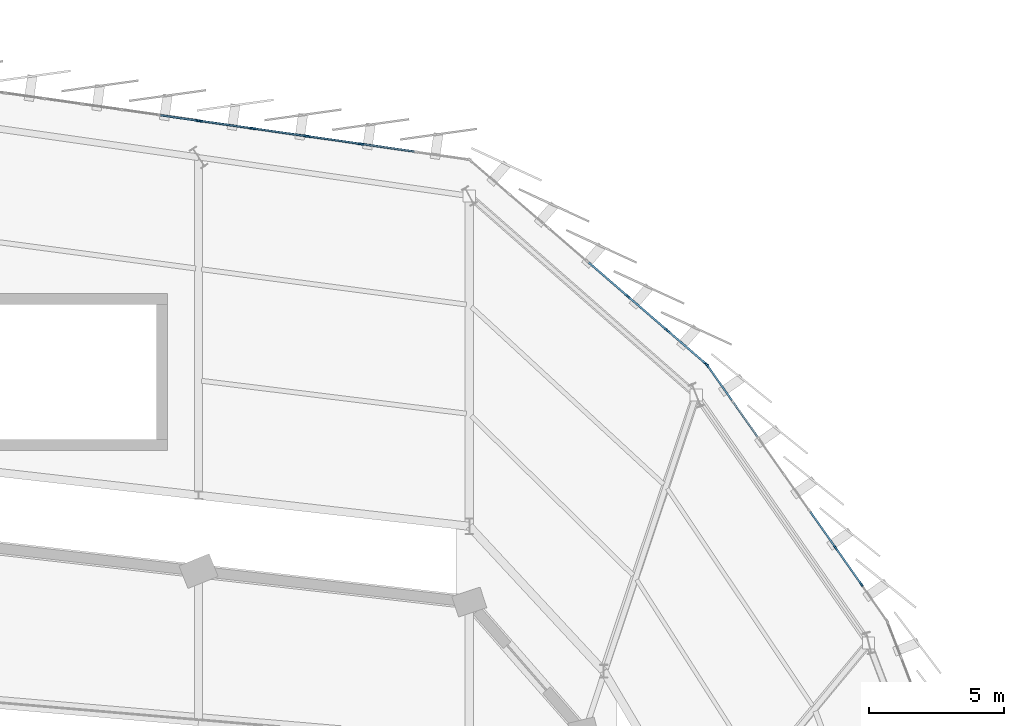
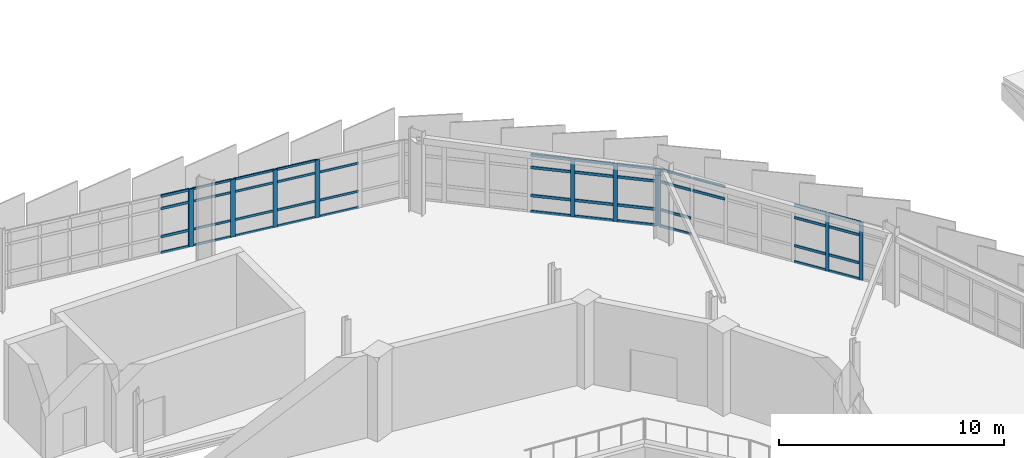
# One storey, part 52 of 87: 56 members, 4 elements without a shape of their own.
"""IFC4 building model written with IfcOpenShell, lengths in metres."""

from ifc_helpers import new_model, si_unit, direction, frame, origin, origin_2d, place, context, subcontext, project, spatial, rectangle, extrude, material, layer, layer_set, material_profile, profile_set, type_object, element, aggregate, save


model = new_model("IFC4")

# Units and contexts
model_context = context("Model", 3, precision=1e-05, world=origin(), true_north=direction((0.0, 1.0)))
body_context = subcontext(model_context, "Body", "Model", "MODEL_VIEW")
ifc_project = project(units=[si_unit("LENGTHUNIT", "METRE"), si_unit("AREAUNIT", "SQUARE_METRE"), si_unit("VOLUMEUNIT", "CUBIC_METRE"), si_unit("PLANEANGLEUNIT", "RADIAN"), si_unit("MASSUNIT", "GRAM", prefix="KILO")], contexts=[model_context])

# Site, building, storey
site_placement = place(None, origin())
site = spatial("IfcSite", under=ifc_project, at=site_placement, CompositionType="ELEMENT")
building_placement = place(site_placement, origin())
building = spatial("IfcBuilding", under=site, at=building_placement, Name="Sohan Crest Arena", CompositionType="ELEMENT")
storey_placement = place(building_placement, frame((0.0, 0.0, 18.0)))
storey = spatial("IfcBuildingStorey", under=building, at=storey_placement, Name="L04", CompositionType="ELEMENT", Elevation=18.0)

# Curtain wall, member
ifc_material = material(Name="Thermally broken anodised aluminium", Category="aluminium")
ifc_layer_1 = layer(ifc_material, 0.18994140625, Name="Thermally broken anodised aluminium")
ifc_layer_set_1 = layer_set([ifc_layer_1], Name="Thermally broken anodised aluminium")
curtain_wall_type_1 = type_object("IfcCurtainWallType", Name="ARC-CW05", PredefinedType="NOTDEFINED", material=ifc_layer_set_1)
curtain_wall_1_placement = place(storey_placement, origin())
curtain_wall_1 = element("IfcCurtainWall", 1, at=curtain_wall_1_placement, inside=storey, type_object=curtain_wall_type_1, Name="Unitised curtain wall CW-140", PredefinedType="NOTDEFINED")
ifc_material_profile_1 = material_profile(ifc_material, rectangle(XDim=0.06005859375, YDim=0.159912109375, at=origin_2d()), Name="ALU-MULL 60x160")
ifc_profile_set_1 = profile_set([ifc_material_profile_1], Name="Thermally broken anodised aluminium")
member_type_1 = type_object("IfcMemberType", Name="ARC-CW-ML01", PredefinedType="MULLION", material=ifc_profile_set_1)
member_1_placement = place(storey_placement, frame((157.97021484375, 118.783203125, 0.0), z_axis=(0.0, 0.0, 1.0), x_axis=(-0.141365918403, -0.989957411768, 0.0)))
member_1 = element("IfcMember", 2, at=member_1_placement, type_object=member_type_1, Name="CW-140 mullion 1", PredefinedType="MULLION", context=body_context, shape_type="SweptSolid", body=[
    extrude(rectangle(XDim=0.06005859375, YDim=0.159912109375, at=origin_2d()), origin(), (0.0, 0.0, 1.0), 3.1201171875),
])

# Curtain wall, members
ifc_layer_2 = layer(ifc_material, 0.199951171875, Name="Thermally broken anodised aluminium")
ifc_layer_set_2 = layer_set([ifc_layer_2], Name="Thermally broken anodised aluminium")
curtain_wall_type_2 = type_object("IfcCurtainWallType", Name="ARC-CW02", PredefinedType="NOTDEFINED", material=ifc_layer_set_2)
curtain_wall_2_placement = place(storey_placement, origin())
curtain_wall_2 = element("IfcCurtainWall", 3, at=curtain_wall_2_placement, inside=storey, type_object=curtain_wall_type_2, Name="Unitised curtain wall CW-137", PredefinedType="NOTDEFINED")
ifc_material_profile_2 = material_profile(ifc_material, rectangle(XDim=0.06494140625, YDim=0.179931640625, at=origin_2d()), Name="ALU-MULL 65x180")
ifc_profile_set_2 = profile_set([ifc_material_profile_2], Name="Thermally broken anodised aluminium")
member_type_2 = type_object("IfcMemberType", Name="ARC-CW-ML02", PredefinedType="MULLION", material=ifc_profile_set_2)
member_2_placement = place(storey_placement, frame((182.478759765625, 101.658203125, 0.0), z_axis=(0.0, 0.0, 1.0), x_axis=(-0.817854574128, -0.575424969546, 0.0)))
member_2 = element("IfcMember", 4, at=member_2_placement, type_object=member_type_2, Name="CW-137 mullion 2", PredefinedType="MULLION", context=body_context, shape_type="SweptSolid", body=[
    extrude(rectangle(XDim=0.06494140625, YDim=0.179931640625, at=origin_2d()), origin(), (0.0, 0.0, 1.0), 3.1201171875),
])
member_3_placement = place(storey_placement, frame((181.526611328125, 103.011474609375, 0.0), z_axis=(0.0, 0.0, 1.0), x_axis=(-0.817854574128, -0.575424969546, 0.0)))
member_3 = element("IfcMember", 5, at=member_3_placement, type_object=member_type_2, Name="CW-137 mullion 3", PredefinedType="MULLION", context=body_context, shape_type="SweptSolid", body=[
    extrude(rectangle(XDim=0.06494140625, YDim=0.179931640625, at=origin_2d()), origin(), (0.0, 0.0, 1.0), 3.1201171875),
])
member_4_placement = place(storey_placement, frame((176.78466796875, 109.75146484375, 0.0), z_axis=(0.0, 0.0, 1.0), x_axis=(-0.817854574128, -0.575424969546, 0.0)))
member_4 = element("IfcMember", 6, at=member_4_placement, type_object=member_type_2, Name="CW-137 mullion 8", PredefinedType="MULLION", context=body_context, shape_type="SweptSolid", body=[
    extrude(rectangle(XDim=0.06494140625, YDim=0.179931640625, at=origin_2d()), origin(), (0.0, 0.0, 1.0), 3.1201171875),
])

ifc_layer_3 = layer(ifc_material, 0.219970703125, Name="Thermally broken anodised aluminium")
ifc_layer_set_3 = layer_set([ifc_layer_3], Name="Thermally broken anodised aluminium")
curtain_wall_type_3 = type_object("IfcCurtainWallType", Name="ARC-CW03", PredefinedType="NOTDEFINED", material=ifc_layer_set_3)
curtain_wall_3_placement = place(storey_placement, origin())
curtain_wall_3 = element("IfcCurtainWall", 7, at=curtain_wall_3_placement, inside=storey, type_object=curtain_wall_type_3, Name="Unitised curtain wall CW-138", PredefinedType="NOTDEFINED")
ifc_material_profile_3 = material_profile(ifc_material, rectangle(XDim=0.070068359375, YDim=0.199951171875, at=origin_2d()), Name="ALU-MULL 70x200")
ifc_profile_set_3 = profile_set([ifc_material_profile_3], Name="Thermally broken anodised aluminium")
member_type_3 = type_object("IfcMemberType", Name="ARC-CW-ML03", PredefinedType="MULLION", material=ifc_profile_set_3)
member_5_placement = place(storey_placement, frame((176.739501953125, 109.80078125, 0.0), z_axis=(0.0, 0.0, 1.0), x_axis=(-0.653687296748, -0.756764770633, 0.0)))
member_5 = element("IfcMember", 8, at=member_5_placement, type_object=member_type_3, Name="CW-138 mullion 1", PredefinedType="MULLION", context=body_context, shape_type="SweptSolid", body=[
    extrude(rectangle(XDim=0.070068359375, YDim=0.199951171875, at=origin_2d()), origin(), (0.0, 0.0, 1.0), 3.1201171875),
])
member_6_placement = place(storey_placement, frame((175.304931640625, 111.0400390625, 0.0), z_axis=(0.0, 0.0, 1.0), x_axis=(-0.653687296748, -0.756764770633, 0.0)))
member_6 = element("IfcMember", 9, at=member_6_placement, type_object=member_type_3, Name="CW-138 mullion 2", PredefinedType="MULLION", context=body_context, shape_type="SweptSolid", body=[
    extrude(rectangle(XDim=0.070068359375, YDim=0.199951171875, at=origin_2d()), origin(), (0.0, 0.0, 1.0), 3.1201171875),
])
member_7_placement = place(storey_placement, frame((173.843994140625, 112.302001953125, 0.0), z_axis=(0.0, 0.0, 1.0), x_axis=(-0.653687296748, -0.756764770633, 0.0)))
member_7 = element("IfcMember", 10, at=member_7_placement, type_object=member_type_3, Name="CW-138 mullion 3", PredefinedType="MULLION", context=body_context, shape_type="SweptSolid", body=[
    extrude(rectangle(XDim=0.070068359375, YDim=0.199951171875, at=origin_2d()), origin(), (0.0, 0.0, 1.0), 3.1201171875),
])

ifc_layer_4 = layer(ifc_material, 0.239990234375, Name="Thermally broken anodised aluminium")
ifc_layer_set_4 = layer_set([ifc_layer_4], Name="Thermally broken anodised aluminium")
curtain_wall_type_4 = type_object("IfcCurtainWallType", Name="ARC-CW04", PredefinedType="NOTDEFINED", material=ifc_layer_set_4)
curtain_wall_4_placement = place(storey_placement, origin())
curtain_wall_4 = element("IfcCurtainWall", 11, at=curtain_wall_4_placement, inside=storey, type_object=curtain_wall_type_4, Name="Unitised curtain wall CW-139", PredefinedType="NOTDEFINED")
ifc_material_profile_4 = material_profile(ifc_material, rectangle(XDim=0.074951171875, YDim=0.219970703125, at=origin_2d()), Name="ALU-MULL 75x220")
ifc_profile_set_4 = profile_set([ifc_material_profile_4], Name="Thermally broken anodised aluminium")
member_type_4 = type_object("IfcMemberType", Name="ARC-CW-ML04", PredefinedType="MULLION", material=ifc_profile_set_4)
member_8_placement = place(storey_placement, frame((164.0, 117.921630859375, 0.0), z_axis=(0.0, 0.0, 1.0), x_axis=(-0.141462933734, -0.989943553128, 0.0)))
member_8 = element("IfcMember", 12, at=member_8_placement, type_object=member_type_4, Name="CW-139 mullion 3", PredefinedType="MULLION", context=body_context, shape_type="SweptSolid", body=[
    extrude(rectangle(XDim=0.074951171875, YDim=0.219970703125, at=origin_2d()), origin(), (0.0, 0.0, 1.0), 3.1201171875),
])
member_9_placement = place(storey_placement, frame((162.0, 118.20751953125, 0.0), z_axis=(0.0, 0.0, 1.0), x_axis=(-0.141462933734, -0.989943553128, 0.0)))
member_9 = element("IfcMember", 13, at=member_9_placement, type_object=member_type_4, Name="CW-139 mullion 4", PredefinedType="MULLION", context=body_context, shape_type="SweptSolid", body=[
    extrude(rectangle(XDim=0.074951171875, YDim=0.219970703125, at=origin_2d()), origin(), (0.0, 0.0, 1.0), 3.1201171875),
])
member_10_placement = place(storey_placement, frame((160.0, 118.4931640625, 0.0), z_axis=(0.0, 0.0, 1.0), x_axis=(-0.141462933734, -0.989943553128, 0.0)))
member_10 = element("IfcMember", 14, at=member_10_placement, type_object=member_type_4, Name="CW-139 mullion 5", PredefinedType="MULLION", context=body_context, shape_type="SweptSolid", body=[
    extrude(rectangle(XDim=0.074951171875, YDim=0.219970703125, at=origin_2d()), origin(), (0.0, 0.0, 1.0), 3.1201171875),
])
member_11_placement = place(storey_placement, frame((158.037109375, 118.773681640625, 0.0), z_axis=(0.0, 0.0, 1.0), x_axis=(-0.141462933734, -0.989943553128, 0.0)))
member_11 = element("IfcMember", 15, at=member_11_placement, type_object=member_type_4, Name="CW-139 mullion 6", PredefinedType="MULLION", context=body_context, shape_type="SweptSolid", body=[
    extrude(rectangle(XDim=0.074951171875, YDim=0.219970703125, at=origin_2d()), origin(), (0.0, 0.0, 1.0), 3.1201171875),
])
ifc_material_profile_5 = material_profile(ifc_material, rectangle(XDim=0.06005859375, YDim=0.1201171875, at=origin_2d()), Name="ALU-TRAN 60x120")
ifc_profile_set_5 = profile_set([ifc_material_profile_5], Name="Thermally broken anodised aluminium")
member_type_5 = type_object("IfcMemberType", Name="ARC-CW-TR01", PredefinedType="USERDEFINED", material=ifc_profile_set_5)
member_12_placement = place(storey_placement, frame((165.962890625, 117.64111328125, 0.030029296875), z_axis=(-0.989946983498, 0.141438926268, 0.0), x_axis=(-0.141438926268, -0.989946983498, 0.0)))
member_12 = element("IfcMember", 16, at=member_12_placement, type_object=member_type_5, Name="CW-139 transom 2.1", ObjectType="TRANSOM", PredefinedType="USERDEFINED", context=body_context, shape_type="SweptSolid", body=[
    extrude(rectangle(XDim=0.06005859375, YDim=0.1201171875, at=origin_2d()), origin(), (0.0, 0.0, 1.0), 1.9453125),
])
member_13_placement = place(storey_placement, frame((165.962890625, 117.64111328125, 0.89990234375), z_axis=(-0.989946983498, 0.141438926268, 0.0), x_axis=(-0.141438926268, -0.989946983498, 0.0)))
member_13 = element("IfcMember", 17, at=member_13_placement, type_object=member_type_5, Name="CW-139 transom 2.2", ObjectType="TRANSOM", PredefinedType="USERDEFINED", context=body_context, shape_type="SweptSolid", body=[
    extrude(rectangle(XDim=0.06005859375, YDim=0.1201171875, at=origin_2d()), origin(), (0.0, 0.0, 1.0), 1.9453125),
])
member_14_placement = place(storey_placement, frame((165.962890625, 117.64111328125, 2.419921875), z_axis=(-0.989946983498, 0.141438926268, 0.0), x_axis=(-0.141438926268, -0.989946983498, 0.0)))
member_14 = element("IfcMember", 18, at=member_14_placement, type_object=member_type_5, Name="CW-139 transom 2.3", ObjectType="TRANSOM", PredefinedType="USERDEFINED", context=body_context, shape_type="SweptSolid", body=[
    extrude(rectangle(XDim=0.06005859375, YDim=0.1201171875, at=origin_2d()), origin(), (0.0, 0.0, 1.0), 1.9453125),
])
member_15_placement = place(storey_placement, frame((163.962890625, 117.927001953125, 0.030029296875), z_axis=(-0.989946983498, 0.141438926268, 0.0), x_axis=(-0.141438926268, -0.989946983498, 0.0)))
member_15 = element("IfcMember", 19, at=member_15_placement, type_object=member_type_5, Name="CW-139 transom 3.1", ObjectType="TRANSOM", PredefinedType="USERDEFINED", context=body_context, shape_type="SweptSolid", body=[
    extrude(rectangle(XDim=0.06005859375, YDim=0.1201171875, at=origin_2d()), origin(), (0.0, 0.0, 1.0), 1.9453125),
])
member_16_placement = place(storey_placement, frame((163.962890625, 117.927001953125, 0.89990234375), z_axis=(-0.989946983498, 0.141438926268, 0.0), x_axis=(-0.141438926268, -0.989946983498, 0.0)))
member_16 = element("IfcMember", 20, at=member_16_placement, type_object=member_type_5, Name="CW-139 transom 3.2", ObjectType="TRANSOM", PredefinedType="USERDEFINED", context=body_context, shape_type="SweptSolid", body=[
    extrude(rectangle(XDim=0.06005859375, YDim=0.1201171875, at=origin_2d()), origin(), (0.0, 0.0, 1.0), 1.9453125),
])
member_17_placement = place(storey_placement, frame((163.962890625, 117.927001953125, 2.419921875), z_axis=(-0.989946983498, 0.141438926268, 0.0), x_axis=(-0.141438926268, -0.989946983498, 0.0)))
member_17 = element("IfcMember", 21, at=member_17_placement, type_object=member_type_5, Name="CW-139 transom 3.3", ObjectType="TRANSOM", PredefinedType="USERDEFINED", context=body_context, shape_type="SweptSolid", body=[
    extrude(rectangle(XDim=0.06005859375, YDim=0.1201171875, at=origin_2d()), origin(), (0.0, 0.0, 1.0), 1.9453125),
])
member_18_placement = place(storey_placement, frame((163.962890625, 117.927001953125, 3.090087890625), z_axis=(-0.989946983498, 0.141438926268, 0.0), x_axis=(-0.141438926268, -0.989946983498, 0.0)))
member_18 = element("IfcMember", 22, at=member_18_placement, type_object=member_type_5, Name="CW-139 transom 3.4", ObjectType="TRANSOM", PredefinedType="USERDEFINED", context=body_context, shape_type="SweptSolid", body=[
    extrude(rectangle(XDim=0.06005859375, YDim=0.1201171875, at=origin_2d()), origin(), (0.0, 0.0, 1.0), 1.9453125),
])
member_19_placement = place(storey_placement, frame((161.962890625, 118.212646484375, 0.030029296875), z_axis=(-0.989946983498, 0.141438926268, 0.0), x_axis=(-0.141438926268, -0.989946983498, 0.0)))
member_19 = element("IfcMember", 23, at=member_19_placement, type_object=member_type_5, Name="CW-139 transom 4.1", ObjectType="TRANSOM", PredefinedType="USERDEFINED", context=body_context, shape_type="SweptSolid", body=[
    extrude(rectangle(XDim=0.06005859375, YDim=0.1201171875, at=origin_2d()), origin(), (0.0, 0.0, 1.0), 1.9453125),
])
member_20_placement = place(storey_placement, frame((161.962890625, 118.212646484375, 0.89990234375), z_axis=(-0.989946983498, 0.141438926268, 0.0), x_axis=(-0.141438926268, -0.989946983498, 0.0)))
member_20 = element("IfcMember", 24, at=member_20_placement, type_object=member_type_5, Name="CW-139 transom 4.2", ObjectType="TRANSOM", PredefinedType="USERDEFINED", context=body_context, shape_type="SweptSolid", body=[
    extrude(rectangle(XDim=0.06005859375, YDim=0.1201171875, at=origin_2d()), origin(), (0.0, 0.0, 1.0), 1.9453125),
])
member_21_placement = place(storey_placement, frame((161.962890625, 118.212646484375, 2.419921875), z_axis=(-0.989946983498, 0.141438926268, 0.0), x_axis=(-0.141438926268, -0.989946983498, 0.0)))
member_21 = element("IfcMember", 25, at=member_21_placement, type_object=member_type_5, Name="CW-139 transom 4.3", ObjectType="TRANSOM", PredefinedType="USERDEFINED", context=body_context, shape_type="SweptSolid", body=[
    extrude(rectangle(XDim=0.06005859375, YDim=0.1201171875, at=origin_2d()), origin(), (0.0, 0.0, 1.0), 1.9453125),
])
member_22_placement = place(storey_placement, frame((161.962890625, 118.212646484375, 3.090087890625), z_axis=(-0.989946983498, 0.141438926268, 0.0), x_axis=(-0.141438926268, -0.989946983498, 0.0)))
member_22 = element("IfcMember", 26, at=member_22_placement, type_object=member_type_5, Name="CW-139 transom 4.4", ObjectType="TRANSOM", PredefinedType="USERDEFINED", context=body_context, shape_type="SweptSolid", body=[
    extrude(rectangle(XDim=0.06005859375, YDim=0.1201171875, at=origin_2d()), origin(), (0.0, 0.0, 1.0), 1.9453125),
])
member_23_placement = place(storey_placement, frame((159.962890625, 118.49853515625, 0.030029296875), z_axis=(-0.989952052837, 0.141403440846, 0.0), x_axis=(-0.141403440846, -0.989952052837, 0.0)))
member_23 = element("IfcMember", 27, at=member_23_placement, type_object=member_type_5, Name="CW-139 transom 5.1", ObjectType="TRANSOM", PredefinedType="USERDEFINED", context=body_context, shape_type="SweptSolid", body=[
    extrude(rectangle(XDim=0.06005859375, YDim=0.1201171875, at=origin_2d()), origin(), (0.0, 0.0, 1.0), 1.907958984375),
])
member_24_placement = place(storey_placement, frame((159.962890625, 118.49853515625, 0.89990234375), z_axis=(-0.989952052837, 0.141403440846, 0.0), x_axis=(-0.141403440846, -0.989952052837, 0.0)))
member_24 = element("IfcMember", 28, at=member_24_placement, type_object=member_type_5, Name="CW-139 transom 5.2", ObjectType="TRANSOM", PredefinedType="USERDEFINED", context=body_context, shape_type="SweptSolid", body=[
    extrude(rectangle(XDim=0.06005859375, YDim=0.1201171875, at=origin_2d()), origin(), (0.0, 0.0, 1.0), 1.907958984375),
])
member_25_placement = place(storey_placement, frame((159.962890625, 118.49853515625, 2.419921875), z_axis=(-0.989952052837, 0.141403440846, 0.0), x_axis=(-0.141403440846, -0.989952052837, 0.0)))
member_25 = element("IfcMember", 29, at=member_25_placement, type_object=member_type_5, Name="CW-139 transom 5.3", ObjectType="TRANSOM", PredefinedType="USERDEFINED", context=body_context, shape_type="SweptSolid", body=[
    extrude(rectangle(XDim=0.06005859375, YDim=0.1201171875, at=origin_2d()), origin(), (0.0, 0.0, 1.0), 1.907958984375),
])
member_26_placement = place(storey_placement, frame((159.962890625, 118.49853515625, 3.090087890625), z_axis=(-0.989952052837, 0.141403440846, 0.0), x_axis=(-0.141403440846, -0.989952052837, 0.0)))
member_26 = element("IfcMember", 30, at=member_26_placement, type_object=member_type_5, Name="CW-139 transom 5.4", ObjectType="TRANSOM", PredefinedType="USERDEFINED", context=body_context, shape_type="SweptSolid", body=[
    extrude(rectangle(XDim=0.06005859375, YDim=0.1201171875, at=origin_2d()), origin(), (0.0, 0.0, 1.0), 1.907958984375),
])
aggregate(curtain_wall_4, [member_8, member_9, member_10, member_11, member_12, member_13, member_14, member_15, member_16, member_17, member_18, member_19, member_20, member_21, member_22, member_23, member_24, member_25, member_26])

# Member
ifc_material_profile_6 = material_profile(ifc_material, rectangle(XDim=0.06494140625, YDim=0.139892578125, at=origin_2d()), Name="ALU-TRAN 65x140")
ifc_profile_set_6 = profile_set([ifc_material_profile_6], Name="Thermally broken anodised aluminium")
member_type_6 = type_object("IfcMemberType", Name="ARC-CW-TR02", PredefinedType="USERDEFINED", material=ifc_profile_set_6)
member_27_placement = place(storey_placement, frame((182.460205078125, 101.684814453125, 0.032470703125), z_axis=(-0.575398306303, 0.817873333166, 0.0), x_axis=(-0.817873333166, -0.575398306303, 0.0)))
member_27 = element("IfcMember", 31, at=member_27_placement, type_object=member_type_6, Name="CW-137 transom 2.1", ObjectType="TRANSOM", PredefinedType="USERDEFINED", context=body_context, shape_type="SweptSolid", body=[
    extrude(rectangle(XDim=0.06494140625, YDim=0.139892578125, at=origin_2d()), origin(), (0.0, 0.0, 1.0), 1.58984375),
])

member_28_placement = place(storey_placement, frame((182.460205078125, 101.684814453125, 0.89990234375), z_axis=(-0.575398306303, 0.817873333166, 0.0), x_axis=(-0.817873333166, -0.575398306303, 0.0)))
member_28 = element("IfcMember", 32, at=member_28_placement, type_object=member_type_6, Name="CW-137 transom 2.2", ObjectType="TRANSOM", PredefinedType="USERDEFINED", context=body_context, shape_type="SweptSolid", body=[
    extrude(rectangle(XDim=0.06494140625, YDim=0.139892578125, at=origin_2d()), origin(), (0.0, 0.0, 1.0), 1.58984375),
])

member_29_placement = place(storey_placement, frame((182.460205078125, 101.684814453125, 2.419921875), z_axis=(-0.575398306303, 0.817873333166, 0.0), x_axis=(-0.817873333166, -0.575398306303, 0.0)))
member_29 = element("IfcMember", 33, at=member_29_placement, type_object=member_type_6, Name="CW-137 transom 2.3", ObjectType="TRANSOM", PredefinedType="USERDEFINED", context=body_context, shape_type="SweptSolid", body=[
    extrude(rectangle(XDim=0.06494140625, YDim=0.139892578125, at=origin_2d()), origin(), (0.0, 0.0, 1.0), 1.58984375),
])

member_30_placement = place(storey_placement, frame((182.460205078125, 101.684814453125, 3.08740234375), z_axis=(-0.575398306303, 0.817873333166, 0.0), x_axis=(-0.817873333166, -0.575398306303, 0.0)))
member_30 = element("IfcMember", 34, at=member_30_placement, type_object=member_type_6, Name="CW-137 transom 2.4", ObjectType="TRANSOM", PredefinedType="USERDEFINED", context=body_context, shape_type="SweptSolid", body=[
    extrude(rectangle(XDim=0.06494140625, YDim=0.139892578125, at=origin_2d()), origin(), (0.0, 0.0, 1.0), 1.58984375),
])

member_31_placement = place(storey_placement, frame((181.508056640625, 103.0380859375, 0.032470703125), z_axis=(-0.575398306303, 0.817873333166, 0.0), x_axis=(-0.817873333166, -0.575398306303, 0.0)))
member_31 = element("IfcMember", 35, at=member_31_placement, type_object=member_type_6, Name="CW-137 transom 3.1", ObjectType="TRANSOM", PredefinedType="USERDEFINED", context=body_context, shape_type="SweptSolid", body=[
    extrude(rectangle(XDim=0.06494140625, YDim=0.139892578125, at=origin_2d()), origin(), (0.0, 0.0, 1.0), 1.58984375),
])

member_32_placement = place(storey_placement, frame((181.508056640625, 103.0380859375, 0.89990234375), z_axis=(-0.575398306303, 0.817873333166, 0.0), x_axis=(-0.817873333166, -0.575398306303, 0.0)))
member_32 = element("IfcMember", 36, at=member_32_placement, type_object=member_type_6, Name="CW-137 transom 3.2", ObjectType="TRANSOM", PredefinedType="USERDEFINED", context=body_context, shape_type="SweptSolid", body=[
    extrude(rectangle(XDim=0.06494140625, YDim=0.139892578125, at=origin_2d()), origin(), (0.0, 0.0, 1.0), 1.58984375),
])

member_33_placement = place(storey_placement, frame((181.508056640625, 103.0380859375, 2.419921875), z_axis=(-0.575398306303, 0.817873333166, 0.0), x_axis=(-0.817873333166, -0.575398306303, 0.0)))
member_33 = element("IfcMember", 37, at=member_33_placement, type_object=member_type_6, Name="CW-137 transom 3.3", ObjectType="TRANSOM", PredefinedType="USERDEFINED", context=body_context, shape_type="SweptSolid", body=[
    extrude(rectangle(XDim=0.06494140625, YDim=0.139892578125, at=origin_2d()), origin(), (0.0, 0.0, 1.0), 1.58984375),
])

member_34_placement = place(storey_placement, frame((181.508056640625, 103.0380859375, 3.08740234375), z_axis=(-0.575398306303, 0.817873333166, 0.0), x_axis=(-0.817873333166, -0.575398306303, 0.0)))
member_34 = element("IfcMember", 38, at=member_34_placement, type_object=member_type_6, Name="CW-137 transom 3.4", ObjectType="TRANSOM", PredefinedType="USERDEFINED", context=body_context, shape_type="SweptSolid", body=[
    extrude(rectangle(XDim=0.06494140625, YDim=0.139892578125, at=origin_2d()), origin(), (0.0, 0.0, 1.0), 1.58984375),
])

member_35_placement = place(storey_placement, frame((178.651611328125, 107.097900390625, 2.419921875), z_axis=(-0.575398306303, 0.817873333166, 0.0), x_axis=(-0.817873333166, -0.575398306303, 0.0)))
member_35 = element("IfcMember", 39, at=member_35_placement, type_object=member_type_6, Name="CW-137 transom 6.3", ObjectType="TRANSOM", PredefinedType="USERDEFINED", context=body_context, shape_type="SweptSolid", body=[
    extrude(rectangle(XDim=0.06494140625, YDim=0.139892578125, at=origin_2d()), origin(), (0.0, 0.0, 1.0), 1.58984375),
])

member_36_placement = place(storey_placement, frame((178.651611328125, 107.097900390625, 3.08740234375), z_axis=(-0.575398306303, 0.817873333166, 0.0), x_axis=(-0.817873333166, -0.575398306303, 0.0)))
member_36 = element("IfcMember", 40, at=member_36_placement, type_object=member_type_6, Name="CW-137 transom 6.4", ObjectType="TRANSOM", PredefinedType="USERDEFINED", context=body_context, shape_type="SweptSolid", body=[
    extrude(rectangle(XDim=0.06494140625, YDim=0.139892578125, at=origin_2d()), origin(), (0.0, 0.0, 1.0), 1.58984375),
])

member_37_placement = place(storey_placement, frame((177.699462890625, 108.451416015625, 0.032470703125), z_axis=(-0.575439029992, 0.817844681319, 0.0), x_axis=(-0.817844681319, -0.575439029992, 0.0)))
member_37 = element("IfcMember", 41, at=member_37_placement, type_object=member_type_6, Name="CW-137 transom 7.1", ObjectType="TRANSOM", PredefinedType="USERDEFINED", context=body_context, shape_type="SweptSolid", body=[
    extrude(rectangle(XDim=0.06494140625, YDim=0.139892578125, at=origin_2d()), origin(), (0.0, 0.0, 1.0), 1.55712890625),
])

member_38_placement = place(storey_placement, frame((177.699462890625, 108.451416015625, 0.89990234375), z_axis=(-0.575439029992, 0.817844681319, 0.0), x_axis=(-0.817844681319, -0.575439029992, 0.0)))
member_38 = element("IfcMember", 42, at=member_38_placement, type_object=member_type_6, Name="CW-137 transom 7.2", ObjectType="TRANSOM", PredefinedType="USERDEFINED", context=body_context, shape_type="SweptSolid", body=[
    extrude(rectangle(XDim=0.06494140625, YDim=0.139892578125, at=origin_2d()), origin(), (0.0, 0.0, 1.0), 1.55712890625),
])

member_39_placement = place(storey_placement, frame((177.699462890625, 108.451416015625, 2.419921875), z_axis=(-0.575439029992, 0.817844681319, 0.0), x_axis=(-0.817844681319, -0.575439029992, 0.0)))
member_39 = element("IfcMember", 43, at=member_39_placement, type_object=member_type_6, Name="CW-137 transom 7.3", ObjectType="TRANSOM", PredefinedType="USERDEFINED", context=body_context, shape_type="SweptSolid", body=[
    extrude(rectangle(XDim=0.06494140625, YDim=0.139892578125, at=origin_2d()), origin(), (0.0, 0.0, 1.0), 1.55712890625),
])

member_40_placement = place(storey_placement, frame((177.699462890625, 108.451416015625, 3.08740234375), z_axis=(-0.575439029992, 0.817844681319, 0.0), x_axis=(-0.817844681319, -0.575439029992, 0.0)))
member_40 = element("IfcMember", 44, at=member_40_placement, type_object=member_type_6, Name="CW-137 transom 7.4", ObjectType="TRANSOM", PredefinedType="USERDEFINED", context=body_context, shape_type="SweptSolid", body=[
    extrude(rectangle(XDim=0.06494140625, YDim=0.139892578125, at=origin_2d()), origin(), (0.0, 0.0, 1.0), 1.55712890625),
])

aggregate(curtain_wall_2, [member_2, member_3, member_4, member_27, member_28, member_29, member_30, member_31, member_32, member_33, member_34, member_35, member_36, member_37, member_38, member_39, member_40])

member_41_placement = place(storey_placement, frame((157.940673828125, 118.78759765625, 0.032470703125), z_axis=(-0.989971132604, 0.141269800771, 0.0), x_axis=(-0.141269800771, -0.989971132604, 0.0)))
member_41 = element("IfcMember", 45, at=member_41_placement, type_object=member_type_6, Name="CW-140 transom 1.1", ObjectType="TRANSOM", PredefinedType="USERDEFINED", context=body_context, shape_type="SweptSolid", body=[
    extrude(rectangle(XDim=0.06494140625, YDim=0.139892578125, at=origin_2d()), origin(), (0.0, 0.0, 1.0), 1.353271484375),
])

member_42_placement = place(storey_placement, frame((157.940673828125, 118.78759765625, 0.89990234375), z_axis=(-0.989971132604, 0.141269800771, 0.0), x_axis=(-0.141269800771, -0.989971132604, 0.0)))
member_42 = element("IfcMember", 46, at=member_42_placement, type_object=member_type_6, Name="CW-140 transom 1.2", ObjectType="TRANSOM", PredefinedType="USERDEFINED", context=body_context, shape_type="SweptSolid", body=[
    extrude(rectangle(XDim=0.06494140625, YDim=0.139892578125, at=origin_2d()), origin(), (0.0, 0.0, 1.0), 1.353271484375),
])

member_43_placement = place(storey_placement, frame((157.940673828125, 118.78759765625, 2.419921875), z_axis=(-0.989971132604, 0.141269800771, 0.0), x_axis=(-0.141269800771, -0.989971132604, 0.0)))
member_43 = element("IfcMember", 47, at=member_43_placement, type_object=member_type_6, Name="CW-140 transom 1.3", ObjectType="TRANSOM", PredefinedType="USERDEFINED", context=body_context, shape_type="SweptSolid", body=[
    extrude(rectangle(XDim=0.06494140625, YDim=0.139892578125, at=origin_2d()), origin(), (0.0, 0.0, 1.0), 1.353271484375),
])

member_44_placement = place(storey_placement, frame((157.940673828125, 118.78759765625, 3.08740234375), z_axis=(-0.989971132604, 0.141269800771, 0.0), x_axis=(-0.141269800771, -0.989971132604, 0.0)))
member_44 = element("IfcMember", 48, at=member_44_placement, type_object=member_type_6, Name="CW-140 transom 1.4", ObjectType="TRANSOM", PredefinedType="USERDEFINED", context=body_context, shape_type="SweptSolid", body=[
    extrude(rectangle(XDim=0.06494140625, YDim=0.139892578125, at=origin_2d()), origin(), (0.0, 0.0, 1.0), 1.353271484375),
])

aggregate(curtain_wall_1, [member_1, member_41, member_42, member_43, member_44])

ifc_material_profile_7 = material_profile(ifc_material, rectangle(XDim=0.070068359375, YDim=0.14990234375, at=origin_2d()), Name="ALU-TRAN 70x150")
ifc_profile_set_7 = profile_set([ifc_material_profile_7], Name="Thermally broken anodised aluminium")
member_type_7 = type_object("IfcMemberType", Name="ARC-CW-TR03", PredefinedType="USERDEFINED", material=ifc_profile_set_7)
member_45_placement = place(storey_placement, frame((176.713134765625, 109.82373046875, 0.034912109375), z_axis=(-0.756777901776, 0.653672094695, 0.0), x_axis=(-0.653672094695, -0.756777901776, 0.0)))
member_45 = element("IfcMember", 49, at=member_45_placement, type_object=member_type_7, Name="CW-138 transom 1.1", ObjectType="TRANSOM", PredefinedType="USERDEFINED", context=body_context, shape_type="SweptSolid", body=[
    extrude(rectangle(XDim=0.070068359375, YDim=0.14990234375, at=origin_2d()), origin(), (0.0, 0.0, 1.0), 1.82568359375),
])

member_46_placement = place(storey_placement, frame((176.713134765625, 109.82373046875, 0.89990234375), z_axis=(-0.756777901776, 0.653672094695, 0.0), x_axis=(-0.653672094695, -0.756777901776, 0.0)))
member_46 = element("IfcMember", 50, at=member_46_placement, type_object=member_type_7, Name="CW-138 transom 1.2", ObjectType="TRANSOM", PredefinedType="USERDEFINED", context=body_context, shape_type="SweptSolid", body=[
    extrude(rectangle(XDim=0.070068359375, YDim=0.14990234375, at=origin_2d()), origin(), (0.0, 0.0, 1.0), 1.82568359375),
])

member_47_placement = place(storey_placement, frame((176.713134765625, 109.82373046875, 2.419921875), z_axis=(-0.756777901776, 0.653672094695, 0.0), x_axis=(-0.653672094695, -0.756777901776, 0.0)))
member_47 = element("IfcMember", 51, at=member_47_placement, type_object=member_type_7, Name="CW-138 transom 1.3", ObjectType="TRANSOM", PredefinedType="USERDEFINED", context=body_context, shape_type="SweptSolid", body=[
    extrude(rectangle(XDim=0.070068359375, YDim=0.14990234375, at=origin_2d()), origin(), (0.0, 0.0, 1.0), 1.82568359375),
])

member_48_placement = place(storey_placement, frame((176.713134765625, 109.82373046875, 3.0849609375), z_axis=(-0.756777901776, 0.653672094695, 0.0), x_axis=(-0.653672094695, -0.756777901776, 0.0)))
member_48 = element("IfcMember", 52, at=member_48_placement, type_object=member_type_7, Name="CW-138 transom 1.4", ObjectType="TRANSOM", PredefinedType="USERDEFINED", context=body_context, shape_type="SweptSolid", body=[
    extrude(rectangle(XDim=0.070068359375, YDim=0.14990234375, at=origin_2d()), origin(), (0.0, 0.0, 1.0), 1.82568359375),
])

member_49_placement = place(storey_placement, frame((175.278564453125, 111.06298828125, 0.034912109375), z_axis=(-0.756796450785, 0.653650619275, 0.0), x_axis=(-0.653650619275, -0.756796450785, 0.0)))
member_49 = element("IfcMember", 53, at=member_49_placement, type_object=member_type_7, Name="CW-138 transom 2.1", ObjectType="TRANSOM", PredefinedType="USERDEFINED", context=body_context, shape_type="SweptSolid", body=[
    extrude(rectangle(XDim=0.070068359375, YDim=0.14990234375, at=origin_2d()), origin(), (0.0, 0.0, 1.0), 1.8603515625),
])

member_50_placement = place(storey_placement, frame((175.278564453125, 111.06298828125, 0.89990234375), z_axis=(-0.756796450785, 0.653650619275, 0.0), x_axis=(-0.653650619275, -0.756796450785, 0.0)))
member_50 = element("IfcMember", 54, at=member_50_placement, type_object=member_type_7, Name="CW-138 transom 2.2", ObjectType="TRANSOM", PredefinedType="USERDEFINED", context=body_context, shape_type="SweptSolid", body=[
    extrude(rectangle(XDim=0.070068359375, YDim=0.14990234375, at=origin_2d()), origin(), (0.0, 0.0, 1.0), 1.8603515625),
])

member_51_placement = place(storey_placement, frame((175.278564453125, 111.06298828125, 2.419921875), z_axis=(-0.756796450785, 0.653650619275, 0.0), x_axis=(-0.653650619275, -0.756796450785, 0.0)))
member_51 = element("IfcMember", 55, at=member_51_placement, type_object=member_type_7, Name="CW-138 transom 2.3", ObjectType="TRANSOM", PredefinedType="USERDEFINED", context=body_context, shape_type="SweptSolid", body=[
    extrude(rectangle(XDim=0.070068359375, YDim=0.14990234375, at=origin_2d()), origin(), (0.0, 0.0, 1.0), 1.8603515625),
])

member_52_placement = place(storey_placement, frame((175.278564453125, 111.06298828125, 3.0849609375), z_axis=(-0.756796450785, 0.653650619275, 0.0), x_axis=(-0.653650619275, -0.756796450785, 0.0)))
member_52 = element("IfcMember", 56, at=member_52_placement, type_object=member_type_7, Name="CW-138 transom 2.4", ObjectType="TRANSOM", PredefinedType="USERDEFINED", context=body_context, shape_type="SweptSolid", body=[
    extrude(rectangle(XDim=0.070068359375, YDim=0.14990234375, at=origin_2d()), origin(), (0.0, 0.0, 1.0), 1.8603515625),
])

member_53_placement = place(storey_placement, frame((173.817626953125, 112.324951171875, 0.034912109375), z_axis=(-0.756852511134, 0.653585706997, 0.0), x_axis=(-0.653585706997, -0.756852511134, 0.0)))
member_53 = element("IfcMember", 57, at=member_53_placement, type_object=member_type_7, Name="CW-138 transom 3.1", ObjectType="TRANSOM", PredefinedType="USERDEFINED", context=body_context, shape_type="SweptSolid", body=[
    extrude(rectangle(XDim=0.070068359375, YDim=0.14990234375, at=origin_2d()), origin(), (0.0, 0.0, 1.0), 1.860595703125),
])

member_54_placement = place(storey_placement, frame((173.817626953125, 112.324951171875, 0.89990234375), z_axis=(-0.756852511134, 0.653585706997, 0.0), x_axis=(-0.653585706997, -0.756852511134, 0.0)))
member_54 = element("IfcMember", 58, at=member_54_placement, type_object=member_type_7, Name="CW-138 transom 3.2", ObjectType="TRANSOM", PredefinedType="USERDEFINED", context=body_context, shape_type="SweptSolid", body=[
    extrude(rectangle(XDim=0.070068359375, YDim=0.14990234375, at=origin_2d()), origin(), (0.0, 0.0, 1.0), 1.860595703125),
])

member_55_placement = place(storey_placement, frame((173.817626953125, 112.324951171875, 2.419921875), z_axis=(-0.756852511134, 0.653585706997, 0.0), x_axis=(-0.653585706997, -0.756852511134, 0.0)))
member_55 = element("IfcMember", 59, at=member_55_placement, type_object=member_type_7, Name="CW-138 transom 3.3", ObjectType="TRANSOM", PredefinedType="USERDEFINED", context=body_context, shape_type="SweptSolid", body=[
    extrude(rectangle(XDim=0.070068359375, YDim=0.14990234375, at=origin_2d()), origin(), (0.0, 0.0, 1.0), 1.860595703125),
])

member_56_placement = place(storey_placement, frame((173.817626953125, 112.324951171875, 3.0849609375), z_axis=(-0.756852511134, 0.653585706997, 0.0), x_axis=(-0.653585706997, -0.756852511134, 0.0)))
member_56 = element("IfcMember", 60, at=member_56_placement, type_object=member_type_7, Name="CW-138 transom 3.4", ObjectType="TRANSOM", PredefinedType="USERDEFINED", context=body_context, shape_type="SweptSolid", body=[
    extrude(rectangle(XDim=0.070068359375, YDim=0.14990234375, at=origin_2d()), origin(), (0.0, 0.0, 1.0), 1.860595703125),
])

aggregate(curtain_wall_3, [member_5, member_6, member_7, member_45, member_46, member_47, member_48, member_49, member_50, member_51, member_52, member_53, member_54, member_55, member_56])

save(model, "model.ifc")
